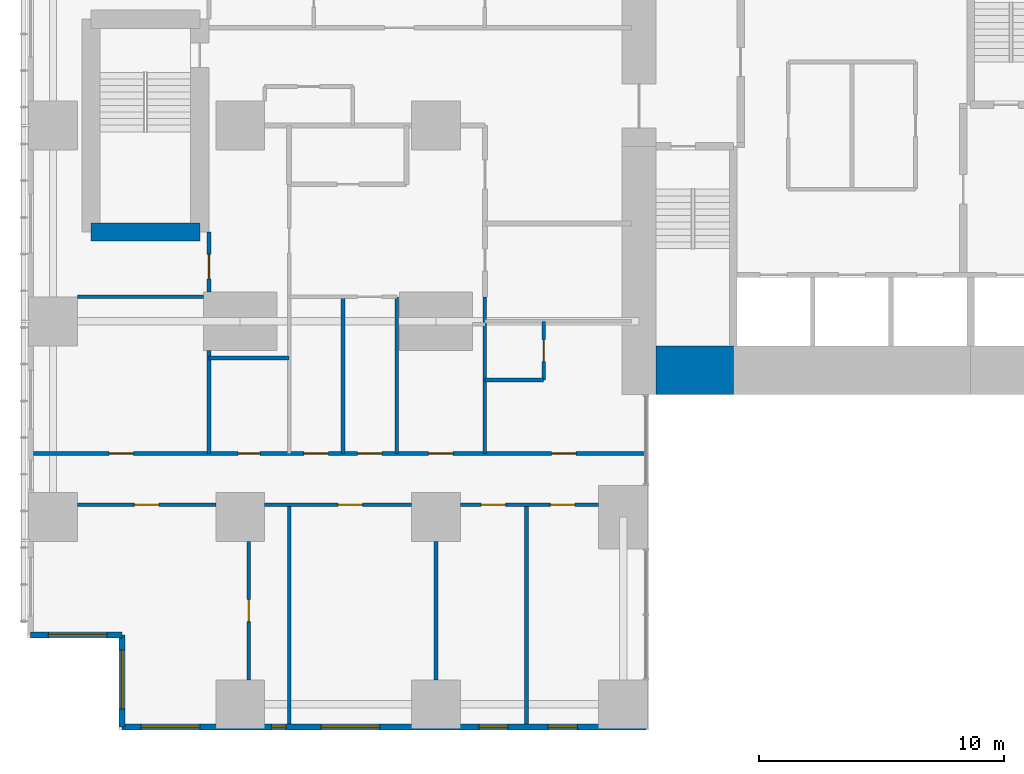
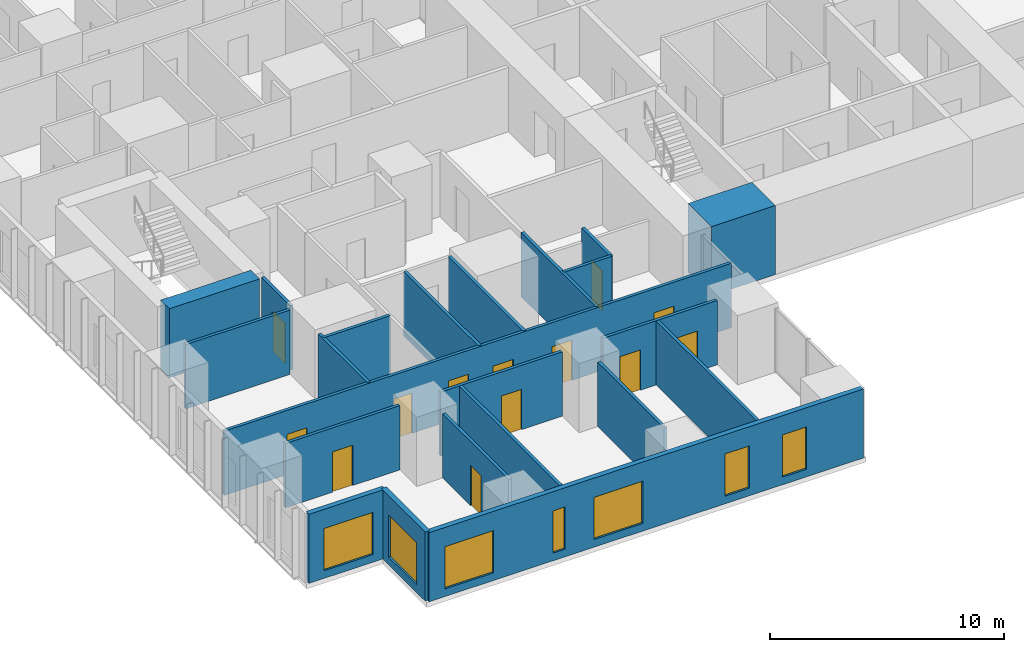
# One storey, part 12 of 21: 22 walls, 13 doors, 7 windows, 20 openings.
"""IFC4 building model written with IfcOpenShell, lengths in metres."""

from ifc_helpers import new_model, si_unit, direction, frame, frame_2d, origin, place, context, subcontext, project, spatial, rectangle, extrude, material, layer, layer_set, type_object, element, fill, save


model = new_model("IFC4")

# Units and contexts
model_context = context("Model", 3, precision=1e-05, world=origin(), true_north=direction((0.0, 1.0)))
body_context = subcontext(model_context, "Body", "Model", "MODEL_VIEW")
ifc_project = project(units=[si_unit("LENGTHUNIT", "METRE"), si_unit("AREAUNIT", "SQUARE_METRE"), si_unit("VOLUMEUNIT", "CUBIC_METRE"), si_unit("PLANEANGLEUNIT", "RADIAN"), si_unit("MASSUNIT", "GRAM", prefix="KILO")], contexts=[model_context])

# Site, building, storey
site_placement = place(None, origin())
site = spatial("IfcSite", under=ifc_project, at=site_placement, CompositionType="ELEMENT")
building_placement = place(site_placement, origin())
building = spatial("IfcBuilding", under=site, at=building_placement, Name="Cleftline Residences", CompositionType="ELEMENT")
storey_placement = place(building_placement, frame((0.0, 0.0, 125.0)))
storey = spatial("IfcBuildingStorey", under=building, at=storey_placement, Name="L32", CompositionType="ELEMENT", Elevation=125.0)

# Wall
ifc_material_1 = material(Name="Concrete B70", Category="concrete")
ifc_layer_1 = layer(ifc_material_1, 2.0)
ifc_layer_set_1 = layer_set([ifc_layer_1], Name="CORE WALL 2000")
wall_type_1 = type_object("IfcWallType", Name="CORE WALL 2000", PredefinedType="SHEAR", material=ifc_layer_set_1)
wall_1_placement = place(storey_placement, frame((25.0, 14.0, 0.0), z_axis=(0.0, 0.0, 1.0), x_axis=(1.0, 0.0, 0.0)))
element("IfcWall", 1, at=wall_1_placement, inside=storey, type_object=wall_type_1, Name="Core wall S1", PredefinedType="SHEAR", context=body_context, shape_type="SweptSolid", body=[
    extrude(rectangle(XDim=3.14990234375, YDim=2.0, at=frame_2d((1.574951171875, 0.0))), origin(), (0.0, 0.0, 1.0), 3.60009765625),
])

# Wall, opening, window
ifc_material_2 = material(Name="Rendered reinforced concrete blockwork", Category="masonry")
ifc_layer_2 = layer(ifc_material_2, 0.25)
ifc_layer_set_2 = layer_set([ifc_layer_2], Name="EXTERNAL WALL 250")
wall_type_2 = type_object("IfcWallType", Name="EXTERNAL WALL 250", PredefinedType="SOLIDWALL", material=ifc_layer_set_2)
wall_2_placement = place(storey_placement, frame((-0.574951171875, 3.175048828125, 0.0), z_axis=(0.0, 0.0, 1.0), x_axis=(1.0, 0.0, 0.0)))
wall_2 = element("IfcWall", 2, at=wall_2_placement, inside=storey, type_object=wall_type_2, Name="External wall", PredefinedType="SOLIDWALL", context=body_context, shape_type="SweptSolid", body=[
    extrude(rectangle(XDim=3.75, YDim=0.25, at=frame_2d((1.875, 0.0))), origin(), (0.0, 0.0, 1.0), 3.60009765625),
])
opening_1_placement = place(wall_2_placement, frame((0.737548828125, 0.0, 0.39990234375)))
opening_1 = element("IfcOpeningElement", 3, at=opening_1_placement, cuts=wall_2, Name="Opening W12", PredefinedType="OPENING", context=body_context, shape_type="SweptSolid", body=[
    extrude(rectangle(XDim=2.39990234375, YDim=2.199951171875, at=frame_2d((1.199951171875, 1.10009765625))), frame((0.0, 0.135009765625, 0.0), z_axis=(0.0, -1.0, 0.0), x_axis=(1.0, 0.0, 0.0)), (0.0, 0.0, 1.0), 0.27001953125),
])
ifc_material_3 = material(Name="Aluminium frame, clear double glazing", Category="aluminium")
window_type_1 = type_object("IfcWindowType", Name="WINDOW 2400X2200", PartitioningType="DOUBLE_PANEL_VERTICAL", PredefinedType="WINDOW", material=ifc_material_3)
window_1_placement = place(opening_1_placement, origin())
window_1 = element("IfcWindow", 4, at=window_1_placement, inside=storey, type_object=window_type_1, Name="Window", OverallHeight=2.199951171875, OverallWidth=2.39990234375, PartitioningType="SINGLE_PANEL", PredefinedType="WINDOW", context=body_context, shape_type="SweptSolid", body=[
    extrude(rectangle(XDim=2.39990234375, YDim=2.199951171875, at=frame_2d((1.199951171875, 1.10009765625))), frame((0.0, 0.030029296875, 0.0), z_axis=(0.0, -1.0, 0.0), x_axis=(1.0, 0.0, 0.0)), (0.0, 0.0, 1.0), 0.06005859375),
])
fill(opening_1, window_1)

wall_3_placement = place(storey_placement, frame((3.175048828125, 3.175048828125, 0.0), z_axis=(0.0, 0.0, 1.0), x_axis=(0.0, -1.0, 0.0)))
wall_3 = element("IfcWall", 5, at=wall_3_placement, inside=storey, type_object=wall_type_2, Name="External wall", PredefinedType="SOLIDWALL", context=body_context, shape_type="SweptSolid", body=[
    extrude(rectangle(XDim=3.75, YDim=0.25, at=frame_2d((1.875, 0.0))), origin(), (0.0, 0.0, 1.0), 3.60009765625),
])
opening_2_placement = place(wall_3_placement, frame((0.612548828125, 0.0, 0.39990234375)))
opening_2 = element("IfcOpeningElement", 6, at=opening_2_placement, cuts=wall_3, Name="Opening W12", PredefinedType="OPENING", context=body_context, shape_type="SweptSolid", body=[
    extrude(rectangle(XDim=2.39990234375, YDim=2.199951171875, at=frame_2d((1.199951171875, 1.10009765625))), frame((0.0, 0.135009765625, 0.0), z_axis=(0.0, -1.0, 0.0), x_axis=(1.0, 0.0, 0.0)), (0.0, 0.0, 1.0), 0.27001953125),
])
window_2_placement = place(opening_2_placement, origin())
window_2 = element("IfcWindow", 7, at=window_2_placement, inside=storey, type_object=window_type_1, Name="Window", OverallHeight=2.199951171875, OverallWidth=2.39990234375, PartitioningType="SINGLE_PANEL", PredefinedType="WINDOW", context=body_context, shape_type="SweptSolid", body=[
    extrude(rectangle(XDim=2.39990234375, YDim=2.199951171875, at=frame_2d((1.199951171875, 1.10009765625))), frame((0.0, 0.030029296875, 0.0), z_axis=(0.0, -1.0, 0.0), x_axis=(1.0, 0.0, 0.0)), (0.0, 0.0, 1.0), 0.06005859375),
])
fill(opening_2, window_2)

# Wall, openings, windows
wall_4_placement = place(storey_placement, frame((3.175048828125, -0.574951171875, 0.0), z_axis=(0.0, 0.0, 1.0), x_axis=(1.0, 0.0, 0.0)))
wall_4 = element("IfcWall", 8, at=wall_4_placement, inside=storey, type_object=wall_type_2, Name="External wall", PredefinedType="SOLIDWALL", context=body_context, shape_type="SweptSolid", body=[
    extrude(rectangle(XDim=21.39990234375, YDim=0.25, at=frame_2d((10.699951171875, 0.0))), origin(), (0.0, 0.0, 1.0), 3.60009765625),
])
opening_3_placement = place(wall_4_placement, frame((0.77490234375, 0.0, 0.39990234375)))
opening_3 = element("IfcOpeningElement", 9, at=opening_3_placement, cuts=wall_4, Name="Opening W12", PredefinedType="OPENING", context=body_context, shape_type="SweptSolid", body=[
    extrude(rectangle(XDim=2.39990234375, YDim=2.199951171875, at=frame_2d((1.199951171875, 1.10009765625))), frame((0.0, 0.135009765625, 0.0), z_axis=(0.0, -1.0, 0.0), x_axis=(1.0, 0.0, 0.0)), (0.0, 0.0, 1.0), 0.27001953125),
])
opening_4_placement = place(wall_4_placement, frame((6.10009765625, 0.0, 0.39990234375)))
opening_4 = element("IfcOpeningElement", 10, at=opening_4_placement, cuts=wall_4, Name="Opening W10", PredefinedType="OPENING", context=body_context, shape_type="SweptSolid", body=[
    extrude(rectangle(XDim=0.60009765625, YDim=2.199951171875, at=frame_2d((0.300048828125, 1.10009765625))), frame((0.0, 0.135009765625, 0.0), z_axis=(0.0, -1.0, 0.0), x_axis=(1.0, 0.0, 0.0)), (0.0, 0.0, 1.0), 0.27001953125),
])
opening_5_placement = place(wall_4_placement, frame((8.125, 0.0, 0.39990234375)))
opening_5 = element("IfcOpeningElement", 11, at=opening_5_placement, cuts=wall_4, Name="Opening W12", PredefinedType="OPENING", context=body_context, shape_type="SweptSolid", body=[
    extrude(rectangle(XDim=2.39990234375, YDim=2.199951171875, at=frame_2d((1.199951171875, 1.10009765625))), frame((0.0, 0.135009765625, 0.0), z_axis=(0.0, -1.0, 0.0), x_axis=(1.0, 0.0, 0.0)), (0.0, 0.0, 1.0), 0.27001953125),
])
opening_6_placement = place(wall_4_placement, frame((14.574951171875, 0.0, 0.39990234375)))
opening_6 = element("IfcOpeningElement", 12, at=opening_6_placement, cuts=wall_4, Name="Opening W11", PredefinedType="OPENING", context=body_context, shape_type="SweptSolid", body=[
    extrude(rectangle(XDim=1.199951171875, YDim=2.199951171875, at=frame_2d((0.60009765625, 1.10009765625))), frame((0.0, 0.135009765625, 0.0), z_axis=(0.0, -1.0, 0.0), x_axis=(1.0, 0.0, 0.0)), (0.0, 0.0, 1.0), 0.27001953125),
])
opening_7_placement = place(wall_4_placement, frame((17.39990234375, 0.0, 0.39990234375)))
opening_7 = element("IfcOpeningElement", 13, at=opening_7_placement, cuts=wall_4, Name="Opening W11", PredefinedType="OPENING", context=body_context, shape_type="SweptSolid", body=[
    extrude(rectangle(XDim=1.199951171875, YDim=2.199951171875, at=frame_2d((0.60009765625, 1.10009765625))), frame((0.0, 0.135009765625, 0.0), z_axis=(0.0, -1.0, 0.0), x_axis=(1.0, 0.0, 0.0)), (0.0, 0.0, 1.0), 0.27001953125),
])
ifc_material_4 = material(Name="Aluminium frame, clear double glazing", Category="aluminium")
window_type_2 = type_object("IfcWindowType", Name="WINDOW 1200X2200", PartitioningType="DOUBLE_PANEL_VERTICAL", PredefinedType="WINDOW", material=ifc_material_4)
window_3_placement = place(opening_6_placement, origin())
window_3 = element("IfcWindow", 14, at=window_3_placement, inside=storey, type_object=window_type_2, Name="Window", OverallHeight=2.199951171875, OverallWidth=1.199951171875, PartitioningType="SINGLE_PANEL", PredefinedType="WINDOW", context=body_context, shape_type="SweptSolid", body=[
    extrude(rectangle(XDim=1.199951171875, YDim=2.199951171875, at=frame_2d((0.60009765625, 1.10009765625))), frame((0.0, 0.030029296875, 0.0), z_axis=(0.0, -1.0, 0.0), x_axis=(1.0, 0.0, 0.0)), (0.0, 0.0, 1.0), 0.06005859375),
])
fill(opening_6, window_3)
window_4_placement = place(opening_7_placement, origin())
window_4 = element("IfcWindow", 15, at=window_4_placement, inside=storey, type_object=window_type_2, Name="Window", OverallHeight=2.199951171875, OverallWidth=1.199951171875, PartitioningType="SINGLE_PANEL", PredefinedType="WINDOW", context=body_context, shape_type="SweptSolid", body=[
    extrude(rectangle(XDim=1.199951171875, YDim=2.199951171875, at=frame_2d((0.60009765625, 1.10009765625))), frame((0.0, 0.030029296875, 0.0), z_axis=(0.0, -1.0, 0.0), x_axis=(1.0, 0.0, 0.0)), (0.0, 0.0, 1.0), 0.06005859375),
])
fill(opening_7, window_4)
window_5_placement = place(opening_3_placement, origin())
window_5 = element("IfcWindow", 16, at=window_5_placement, inside=storey, type_object=window_type_1, Name="Window", OverallHeight=2.199951171875, OverallWidth=2.39990234375, PartitioningType="SINGLE_PANEL", PredefinedType="WINDOW", context=body_context, shape_type="SweptSolid", body=[
    extrude(rectangle(XDim=2.39990234375, YDim=2.199951171875, at=frame_2d((1.199951171875, 1.10009765625))), frame((0.0, 0.030029296875, 0.0), z_axis=(0.0, -1.0, 0.0), x_axis=(1.0, 0.0, 0.0)), (0.0, 0.0, 1.0), 0.06005859375),
])
fill(opening_3, window_5)
window_6_placement = place(opening_5_placement, origin())
window_6 = element("IfcWindow", 17, at=window_6_placement, inside=storey, type_object=window_type_1, Name="Window", OverallHeight=2.199951171875, OverallWidth=2.39990234375, PartitioningType="SINGLE_PANEL", PredefinedType="WINDOW", context=body_context, shape_type="SweptSolid", body=[
    extrude(rectangle(XDim=2.39990234375, YDim=2.199951171875, at=frame_2d((1.199951171875, 1.10009765625))), frame((0.0, 0.030029296875, 0.0), z_axis=(0.0, -1.0, 0.0), x_axis=(1.0, 0.0, 0.0)), (0.0, 0.0, 1.0), 0.06005859375),
])
fill(opening_5, window_6)
ifc_material_5 = material(Name="Aluminium frame, clear double glazing", Category="aluminium")
window_type_3 = type_object("IfcWindowType", Name="WINDOW 600X2200", PartitioningType="DOUBLE_PANEL_VERTICAL", PredefinedType="WINDOW", material=ifc_material_5)
window_7_placement = place(opening_4_placement, origin())
window_7 = element("IfcWindow", 18, at=window_7_placement, inside=storey, type_object=window_type_3, Name="Window", OverallHeight=2.199951171875, OverallWidth=0.60009765625, PartitioningType="SINGLE_PANEL", PredefinedType="WINDOW", context=body_context, shape_type="SweptSolid", body=[
    extrude(rectangle(XDim=0.60009765625, YDim=2.199951171875, at=frame_2d((0.300048828125, 1.10009765625))), frame((0.0, 0.030029296875, 0.0), z_axis=(0.0, -1.0, 0.0), x_axis=(1.0, 0.0, 0.0)), (0.0, 0.0, 1.0), 0.06005859375),
])
fill(opening_4, window_7)

# Wall, opening, door
ifc_material_6 = material(Name="Gypsum board on steel studs", Category="steel")
ifc_layer_3 = layer(ifc_material_6, 0.14990234375)
ifc_layer_set_3 = layer_set([ifc_layer_3], Name="PARTITION 150")
wall_type_3 = type_object("IfcWallType", Name="PARTITION 150", PredefinedType="PARTITIONING", material=ifc_layer_set_3)
wall_5_placement = place(storey_placement, frame((1.35009765625, 8.5, 0.0), z_axis=(0.0, 0.0, 1.0), x_axis=(1.0, 0.0, 0.0)))
wall_5 = element("IfcWall", 19, at=wall_5_placement, inside=storey, type_object=wall_type_3, Name="Partition", PredefinedType="PARTITIONING", context=body_context, shape_type="SweptSolid", body=[
    extrude(rectangle(XDim=5.64990234375, YDim=0.14990234375, at=frame_2d((2.824951171875, 0.0))), origin(), (0.0, 0.0, 1.0), 3.35009765625),
])
opening_8_placement = place(wall_5_placement, frame((2.324951171875, 0.0, 0.0)))
opening_8 = element("IfcOpeningElement", 20, at=opening_8_placement, cuts=wall_5, Name="Opening D2", PredefinedType="OPENING", context=body_context, shape_type="SweptSolid", body=[
    extrude(rectangle(XDim=1.0, YDim=2.10009765625, at=frame_2d((0.5, 1.050048828125))), frame((0.0, 0.0849609375, 0.0), z_axis=(0.0, -1.0, 0.0), x_axis=(1.0, 0.0, 0.0)), (0.0, 0.0, 1.0), 0.169921875),
])
ifc_material_7 = material(Name="Timber veneer on solid core", Category="wood")
door_type_1 = type_object("IfcDoorType", Name="DOOR 1000X2100", OperationType="SINGLE_SWING_LEFT", PredefinedType="DOOR", material=ifc_material_7)
door_1_placement = place(opening_8_placement, origin())
door_1 = element("IfcDoor", 21, at=door_1_placement, inside=storey, type_object=door_type_1, Name="Door to formal living room", OperationType="SINGLE_SWING_LEFT", OverallHeight=2.10009765625, OverallWidth=1.0, PredefinedType="DOOR", context=body_context, shape_type="SweptSolid", body=[
    extrude(rectangle(XDim=1.0, YDim=2.10009765625, at=frame_2d((0.5, 1.050048828125))), frame((0.0, 0.02490234375, 0.0), z_axis=(0.0, -1.0, 0.0), x_axis=(1.0, 0.0, 0.0)), (0.0, 0.0, 1.0), 0.050048828125),
])
fill(opening_8, door_1)

wall_6_placement = place(storey_placement, frame((9.0, 8.5, 0.0), z_axis=(0.0, 0.0, 1.0), x_axis=(1.0, 0.0, 0.0)))
wall_6 = element("IfcWall", 22, at=wall_6_placement, inside=storey, type_object=wall_type_3, Name="Partition", PredefinedType="PARTITIONING", context=body_context, shape_type="SweptSolid", body=[
    extrude(rectangle(XDim=6.0, YDim=0.14990234375, at=frame_2d((3.0, 0.0))), origin(), (0.0, 0.0, 1.0), 3.35009765625),
])
opening_9_placement = place(wall_6_placement, frame((3.0, 0.0, 0.0)))
opening_9 = element("IfcOpeningElement", 23, at=opening_9_placement, cuts=wall_6, Name="Opening D2", PredefinedType="OPENING", context=body_context, shape_type="SweptSolid", body=[
    extrude(rectangle(XDim=1.0, YDim=2.10009765625, at=frame_2d((0.5, 1.050048828125))), frame((0.0, 0.0849609375, 0.0), z_axis=(0.0, -1.0, 0.0), x_axis=(1.0, 0.0, 0.0)), (0.0, 0.0, 1.0), 0.169921875),
])
door_2_placement = place(opening_9_placement, origin())
door_2 = element("IfcDoor", 24, at=door_2_placement, inside=storey, type_object=door_type_1, Name="Door to formal dining room", OperationType="SINGLE_SWING_LEFT", OverallHeight=2.10009765625, OverallWidth=1.0, PredefinedType="DOOR", context=body_context, shape_type="SweptSolid", body=[
    extrude(rectangle(XDim=1.0, YDim=2.10009765625, at=frame_2d((0.5, 1.050048828125))), frame((0.0, 0.02490234375, 0.0), z_axis=(0.0, -1.0, 0.0), x_axis=(1.0, 0.0, 0.0)), (0.0, 0.0, 1.0), 0.050048828125),
])
fill(opening_9, door_2)

# Wall, openings, doors
wall_7_placement = place(storey_placement, frame((17.0, 8.5, 0.0), z_axis=(0.0, 0.0, 1.0), x_axis=(1.0, 0.0, 0.0)))
wall_7 = element("IfcWall", 25, at=wall_7_placement, inside=storey, type_object=wall_type_3, Name="Partition", PredefinedType="PARTITIONING", context=body_context, shape_type="SweptSolid", body=[
    extrude(rectangle(XDim=5.64990234375, YDim=0.14990234375, at=frame_2d((2.824951171875, 0.0))), origin(), (0.0, 0.0, 1.0), 3.35009765625),
])
opening_10_placement = place(wall_7_placement, frame((0.85009765625, 0.0, 0.0)))
opening_10 = element("IfcOpeningElement", 26, at=opening_10_placement, cuts=wall_7, Name="Opening D2", PredefinedType="OPENING", context=body_context, shape_type="SweptSolid", body=[
    extrude(rectangle(XDim=1.0, YDim=2.10009765625, at=frame_2d((0.5, 1.050048828125))), frame((0.0, 0.0849609375, 0.0), z_axis=(0.0, -1.0, 0.0), x_axis=(1.0, 0.0, 0.0)), (0.0, 0.0, 1.0), 0.169921875),
])
opening_11_placement = place(wall_7_placement, frame((3.675048828125, 0.0, 0.0)))
opening_11 = element("IfcOpeningElement", 27, at=opening_11_placement, cuts=wall_7, Name="Opening D2", PredefinedType="OPENING", context=body_context, shape_type="SweptSolid", body=[
    extrude(rectangle(XDim=1.0, YDim=2.10009765625, at=frame_2d((0.5, 1.050048828125))), frame((0.0, 0.0849609375, 0.0), z_axis=(0.0, -1.0, 0.0), x_axis=(1.0, 0.0, 0.0)), (0.0, 0.0, 1.0), 0.169921875),
])
door_3_placement = place(opening_10_placement, origin())
door_3 = element("IfcDoor", 28, at=door_3_placement, inside=storey, type_object=door_type_1, Name="Door to breakfast room", OperationType="SINGLE_SWING_RIGHT", OverallHeight=2.10009765625, OverallWidth=1.0, PredefinedType="DOOR", context=body_context, shape_type="SweptSolid", body=[
    extrude(rectangle(XDim=1.0, YDim=2.10009765625, at=frame_2d((0.5, 1.050048828125))), frame((0.0, 0.02490234375, 0.0), z_axis=(0.0, -1.0, 0.0), x_axis=(1.0, 0.0, 0.0)), (0.0, 0.0, 1.0), 0.050048828125),
])
fill(opening_10, door_3)
door_4_placement = place(opening_11_placement, origin())
door_4 = element("IfcDoor", 29, at=door_4_placement, inside=storey, type_object=door_type_1, Name="Door to show kitchen", OperationType="SINGLE_SWING_LEFT", OverallHeight=2.10009765625, OverallWidth=1.0, PredefinedType="DOOR", context=body_context, shape_type="SweptSolid", body=[
    extrude(rectangle(XDim=1.0, YDim=2.10009765625, at=frame_2d((0.5, 1.050048828125))), frame((0.0, 0.02490234375, 0.0), z_axis=(0.0, -1.0, 0.0), x_axis=(1.0, 0.0, 0.0)), (0.0, 0.0, 1.0), 0.050048828125),
])
fill(opening_11, door_4)

wall_8_placement = place(storey_placement, frame((-0.449951171875, 10.60009765625, 0.0), z_axis=(0.0, 0.0, 1.0), x_axis=(1.0, 0.0, 0.0)))
wall_8 = element("IfcWall", 30, at=wall_8_placement, inside=storey, type_object=wall_type_3, Name="Partition", PredefinedType="PARTITIONING", context=body_context, shape_type="SweptSolid", body=[
    extrude(rectangle(XDim=25.010986328125, YDim=0.14990234375, at=frame_2d((12.50537109375, 0.0))), origin(), (0.0, 0.0, 1.0), 3.35009765625),
])
opening_12_placement = place(wall_8_placement, frame((13.25, 0.0, 0.0)))
opening_12 = element("IfcOpeningElement", 31, at=opening_12_placement, cuts=wall_8, Name="Opening D2F30", PredefinedType="OPENING", context=body_context, shape_type="SweptSolid", body=[
    extrude(rectangle(XDim=1.0, YDim=2.10009765625, at=frame_2d((0.5, 1.050048828125))), frame((0.0, 0.0849609375, 0.0), z_axis=(0.0, -1.0, 0.0), x_axis=(1.0, 0.0, 0.0)), (0.0, 0.0, 1.0), 0.169921875),
])
opening_13_placement = place(wall_8_placement, frame((3.08740234375, 0.0, 0.0)))
opening_13 = element("IfcOpeningElement", 32, at=opening_13_placement, cuts=wall_8, Name="Opening D2F30", PredefinedType="OPENING", context=body_context, shape_type="SweptSolid", body=[
    extrude(rectangle(XDim=1.0, YDim=2.10009765625, at=frame_2d((0.5, 1.050048828125))), frame((0.0, 0.0849609375, 0.0), z_axis=(0.0, -1.0, 0.0), x_axis=(1.0, 0.0, 0.0)), (0.0, 0.0, 1.0), 0.169921875),
])
opening_14_placement = place(wall_8_placement, frame((8.362548828125, 0.0, 0.0)))
opening_14 = element("IfcOpeningElement", 33, at=opening_14_placement, cuts=wall_8, Name="Opening D1F30", PredefinedType="OPENING", context=body_context, shape_type="SweptSolid", body=[
    extrude(rectangle(XDim=0.89990234375, YDim=2.10009765625, at=frame_2d((0.449951171875, 1.050048828125))), frame((0.0, 0.0849609375, 0.0), z_axis=(0.0, -1.0, 0.0), x_axis=(1.0, 0.0, 0.0)), (0.0, 0.0, 1.0), 0.169921875),
])
opening_15_placement = place(wall_8_placement, frame((11.050048828125, 0.0, 0.0)))
opening_15 = element("IfcOpeningElement", 34, at=opening_15_placement, cuts=wall_8, Name="Opening D2F30", PredefinedType="OPENING", context=body_context, shape_type="SweptSolid", body=[
    extrude(rectangle(XDim=1.0, YDim=2.10009765625, at=frame_2d((0.5, 1.050048828125))), frame((0.0, 0.0849609375, 0.0), z_axis=(0.0, -1.0, 0.0), x_axis=(1.0, 0.0, 0.0)), (0.0, 0.0, 1.0), 0.169921875),
])
opening_16_placement = place(wall_8_placement, frame((16.14990234375, 0.0, 0.0)))
opening_16 = element("IfcOpeningElement", 35, at=opening_16_placement, cuts=wall_8, Name="Opening D2F30", PredefinedType="OPENING", context=body_context, shape_type="SweptSolid", body=[
    extrude(rectangle(XDim=1.0, YDim=2.10009765625, at=frame_2d((0.5, 1.050048828125))), frame((0.0, 0.0849609375, 0.0), z_axis=(0.0, -1.0, 0.0), x_axis=(1.0, 0.0, 0.0)), (0.0, 0.0, 1.0), 0.169921875),
])
opening_17_placement = place(wall_8_placement, frame((21.175048828125, 0.0, 0.0)))
opening_17 = element("IfcOpeningElement", 36, at=opening_17_placement, cuts=wall_8, Name="Opening D2F30", PredefinedType="OPENING", context=body_context, shape_type="SweptSolid", body=[
    extrude(rectangle(XDim=1.0, YDim=2.10009765625, at=frame_2d((0.5, 1.050048828125))), frame((0.0, 0.0849609375, 0.0), z_axis=(0.0, -1.0, 0.0), x_axis=(1.0, 0.0, 0.0)), (0.0, 0.0, 1.0), 0.169921875),
])
ifc_material_8 = material(Name="Timber veneer on solid core", Category="wood")
door_type_2 = type_object("IfcDoorType", Name="DOOR 1000X2100 EI 30", OperationType="SINGLE_SWING_LEFT", PredefinedType="DOOR", material=ifc_material_8)
door_5_placement = place(opening_12_placement, origin())
door_5 = element("IfcDoor", 37, at=door_5_placement, inside=storey, type_object=door_type_2, Name="Door to residence hall (gallery)", OperationType="SINGLE_SWING_LEFT", OverallHeight=2.10009765625, OverallWidth=1.0, PredefinedType="DOOR", context=body_context, shape_type="SweptSolid", body=[
    extrude(rectangle(XDim=1.0, YDim=2.10009765625, at=frame_2d((0.5, 1.050048828125))), frame((0.0, 0.02490234375, 0.0), z_axis=(0.0, -1.0, 0.0), x_axis=(1.0, 0.0, 0.0)), (0.0, 0.0, 1.0), 0.050048828125),
])
fill(opening_12, door_5)
door_6_placement = place(opening_13_placement, origin())
door_6 = element("IfcDoor", 38, at=door_6_placement, inside=storey, type_object=door_type_2, Name="Door to winter garden", OperationType="SINGLE_SWING_RIGHT", OverallHeight=2.10009765625, OverallWidth=1.0, PredefinedType="DOOR", context=body_context, shape_type="SweptSolid", body=[
    extrude(rectangle(XDim=1.0, YDim=2.10009765625, at=frame_2d((0.5, 1.050048828125))), frame((0.0, 0.02490234375, 0.0), z_axis=(0.0, -1.0, 0.0), x_axis=(1.0, 0.0, 0.0)), (0.0, 0.0, 1.0), 0.050048828125),
])
fill(opening_13, door_6)
door_7_placement = place(opening_15_placement, origin())
door_7 = element("IfcDoor", 39, at=door_7_placement, inside=storey, type_object=door_type_2, Name="Door to family room", OperationType="SINGLE_SWING_RIGHT", OverallHeight=2.10009765625, OverallWidth=1.0, PredefinedType="DOOR", context=body_context, shape_type="SweptSolid", body=[
    extrude(rectangle(XDim=1.0, YDim=2.10009765625, at=frame_2d((0.5, 1.050048828125))), frame((0.0, 0.02490234375, 0.0), z_axis=(0.0, -1.0, 0.0), x_axis=(1.0, 0.0, 0.0)), (0.0, 0.0, 1.0), 0.050048828125),
])
fill(opening_15, door_7)
door_8_placement = place(opening_16_placement, origin())
door_8 = element("IfcDoor", 40, at=door_8_placement, inside=storey, type_object=door_type_2, Name="Door to wet kitchen", OperationType="SINGLE_SWING_LEFT", OverallHeight=2.10009765625, OverallWidth=1.0, PredefinedType="DOOR", context=body_context, shape_type="SweptSolid", body=[
    extrude(rectangle(XDim=1.0, YDim=2.10009765625, at=frame_2d((0.5, 1.050048828125))), frame((0.0, 0.02490234375, 0.0), z_axis=(0.0, -1.0, 0.0), x_axis=(1.0, 0.0, 0.0)), (0.0, 0.0, 1.0), 0.050048828125),
])
fill(opening_16, door_8)
door_9_placement = place(opening_17_placement, origin())
door_9 = element("IfcDoor", 41, at=door_9_placement, inside=storey, type_object=door_type_2, Name="Door to staff bedroom", OperationType="SINGLE_SWING_LEFT", OverallHeight=2.10009765625, OverallWidth=1.0, PredefinedType="DOOR", context=body_context, shape_type="SweptSolid", body=[
    extrude(rectangle(XDim=1.0, YDim=2.10009765625, at=frame_2d((0.5, 1.050048828125))), frame((0.0, 0.02490234375, 0.0), z_axis=(0.0, -1.0, 0.0), x_axis=(1.0, 0.0, 0.0)), (0.0, 0.0, 1.0), 0.050048828125),
])
fill(opening_17, door_9)
ifc_material_9 = material(Name="Timber veneer on solid core", Category="wood")
door_type_3 = type_object("IfcDoorType", Name="DOOR 900X2100 EI 30", OperationType="SINGLE_SWING_LEFT", PredefinedType="DOOR", material=ifc_material_9)
door_10_placement = place(opening_14_placement, origin())
door_10 = element("IfcDoor", 42, at=door_10_placement, inside=storey, type_object=door_type_3, Name="Door to store room", OperationType="SINGLE_SWING_RIGHT", OverallHeight=2.10009765625, OverallWidth=0.89990234375, PredefinedType="DOOR", context=body_context, shape_type="SweptSolid", body=[
    extrude(rectangle(XDim=0.89990234375, YDim=2.10009765625, at=frame_2d((0.449951171875, 1.050048828125))), frame((0.0, 0.02490234375, 0.0), z_axis=(0.0, -1.0, 0.0), x_axis=(1.0, 0.0, 0.0)), (0.0, 0.0, 1.0), 0.050048828125),
])
fill(opening_14, door_10)

# Walls
wall_9_placement = place(storey_placement, frame((18.0, 13.60009765625, 0.0), z_axis=(0.0, 0.0, 1.0), x_axis=(1.0, 0.0, 0.0)))
element("IfcWall", 43, at=wall_9_placement, inside=storey, type_object=wall_type_3, Name="Partition", PredefinedType="PARTITIONING", context=body_context, shape_type="SweptSolid", body=[
    extrude(rectangle(XDim=2.39990234375, YDim=0.14990234375, at=frame_2d((1.199951171875, 0.0))), origin(), (0.0, 0.0, 1.0), 3.35009765625),
])
wall_10_placement = place(storey_placement, frame((6.72509765625, 14.5, 0.0), z_axis=(0.0, 0.0, 1.0), x_axis=(1.0, 0.0, 0.0)))
element("IfcWall", 44, at=wall_10_placement, inside=storey, type_object=wall_type_3, Name="Partition", PredefinedType="PARTITIONING", context=body_context, shape_type="SweptSolid", body=[
    extrude(rectangle(XDim=3.27490234375, YDim=0.14990234375, at=frame_2d((1.637451171875, 0.0))), origin(), (0.0, 0.0, 1.0), 3.35009765625),
])
wall_11_placement = place(storey_placement, frame((1.35009765625, 17.0, 0.0), z_axis=(0.0, 0.0, 1.0), x_axis=(1.0, 0.0, 0.0)))
element("IfcWall", 45, at=wall_11_placement, inside=storey, type_object=wall_type_3, Name="Partition", PredefinedType="PARTITIONING", context=body_context, shape_type="SweptSolid", body=[
    extrude(rectangle(XDim=5.14990234375, YDim=0.14990234375, at=frame_2d((2.574951171875, 0.0))), origin(), (0.0, 0.0, 1.0), 3.35009765625),
])
wall_12_placement = place(storey_placement, frame((6.72509765625, 10.60009765625, 0.0), z_axis=(0.0, 0.0, 1.0), x_axis=(0.0, 1.0, 0.0)))
element("IfcWall", 46, at=wall_12_placement, inside=storey, type_object=wall_type_3, Name="Partition", PredefinedType="PARTITIONING", context=body_context, shape_type="SweptSolid", body=[
    extrude(rectangle(XDim=4.199951171875, YDim=0.14990234375, at=frame_2d((2.10009765625, 0.0))), origin(), (0.0, 0.0, 1.0), 3.35009765625),
])

# Wall, opening, door
wall_13_placement = place(storey_placement, frame((6.72509765625, 17.199951171875, 0.0), z_axis=(0.0, 0.0, 1.0), x_axis=(0.0, 1.0, 0.0)))
wall_13 = element("IfcWall", 47, at=wall_13_placement, inside=storey, type_object=wall_type_3, Name="Partition", PredefinedType="PARTITIONING", context=body_context, shape_type="SweptSolid", body=[
    extrude(rectangle(XDim=2.449951171875, YDim=0.14990234375, at=frame_2d((1.22509765625, 0.0))), origin(), (0.0, 0.0, 1.0), 3.35009765625),
])
opening_18_placement = place(wall_13_placement, frame((0.53759765625, 0.0, 0.0)))
opening_18 = element("IfcOpeningElement", 48, at=opening_18_placement, cuts=wall_13, Name="Opening D2", PredefinedType="OPENING", context=body_context, shape_type="SweptSolid", body=[
    extrude(rectangle(XDim=1.0, YDim=2.10009765625, at=frame_2d((0.5, 1.050048828125))), frame((0.0, 0.0849609375, 0.0), z_axis=(0.0, -1.0, 0.0), x_axis=(1.0, 0.0, 0.0)), (0.0, 0.0, 1.0), 0.169921875),
])
door_11_placement = place(opening_18_placement, origin())
door_11 = element("IfcDoor", 49, at=door_11_placement, inside=storey, type_object=door_type_1, Name="Door to altar room", OperationType="SINGLE_SWING_RIGHT", OverallHeight=2.10009765625, OverallWidth=1.0, PredefinedType="DOOR", context=body_context, shape_type="SweptSolid", body=[
    extrude(rectangle(XDim=1.0, YDim=2.10009765625, at=frame_2d((0.5, 1.050048828125))), frame((0.0, 0.02490234375, 0.0), z_axis=(0.0, -1.0, 0.0), x_axis=(1.0, 0.0, 0.0)), (0.0, 0.0, 1.0), 0.050048828125),
])
fill(opening_18, door_11)

wall_14_placement = place(storey_placement, frame((8.35009765625, 1.35009765625, 0.0), z_axis=(0.0, 0.0, 1.0), x_axis=(0.0, 1.0, 0.0)))
wall_14 = element("IfcWall", 50, at=wall_14_placement, inside=storey, type_object=wall_type_3, Name="Partition", PredefinedType="PARTITIONING", context=body_context, shape_type="SweptSolid", body=[
    extrude(rectangle(XDim=5.64990234375, YDim=0.14990234375, at=frame_2d((2.824951171875, 0.0))), origin(), (0.0, 0.0, 1.0), 3.35009765625),
])
opening_19_placement = place(wall_14_placement, frame((2.375, 0.0, 0.0)))
opening_19 = element("IfcOpeningElement", 51, at=opening_19_placement, cuts=wall_14, Name="Opening D1", PredefinedType="OPENING", context=body_context, shape_type="SweptSolid", body=[
    extrude(rectangle(XDim=0.89990234375, YDim=2.10009765625, at=frame_2d((0.449951171875, 1.050048828125))), frame((0.0, 0.0849609375, 0.0), z_axis=(0.0, -1.0, 0.0), x_axis=(1.0, 0.0, 0.0)), (0.0, 0.0, 1.0), 0.169921875),
])
ifc_material_10 = material(Name="Timber veneer on solid core", Category="wood")
door_type_4 = type_object("IfcDoorType", Name="DOOR 900X2100", OperationType="SINGLE_SWING_LEFT", PredefinedType="DOOR", material=ifc_material_10)
door_12_placement = place(opening_19_placement, origin())
door_12 = element("IfcDoor", 52, at=door_12_placement, inside=storey, type_object=door_type_4, Name="Door to store room", OperationType="SINGLE_SWING_LEFT", OverallHeight=2.10009765625, OverallWidth=0.89990234375, PredefinedType="DOOR", context=body_context, shape_type="SweptSolid", body=[
    extrude(rectangle(XDim=0.89990234375, YDim=2.10009765625, at=frame_2d((0.449951171875, 1.050048828125))), frame((0.0, 0.02490234375, 0.0), z_axis=(0.0, -1.0, 0.0), x_axis=(1.0, 0.0, 0.0)), (0.0, 0.0, 1.0), 0.050048828125),
])
fill(opening_19, door_12)

# Walls
wall_15_placement = place(storey_placement, frame((10.0, -0.449951171875, 0.0), z_axis=(0.0, 0.0, 1.0), x_axis=(0.0, 1.0, 0.0)))
element("IfcWall", 53, at=wall_15_placement, inside=storey, type_object=wall_type_3, Name="Partition", PredefinedType="PARTITIONING", context=body_context, shape_type="SweptSolid", body=[
    extrude(rectangle(XDim=8.949951171875, YDim=0.14990234375, at=frame_2d((4.47509765625, 0.0))), origin(), (0.0, 0.0, 1.0), 3.35009765625),
])
for number, where, z_axis, x_axis, name in (
    (54, (12.199951171875, 10.60009765625, 0.0), (0.0, 0.0, 1.0), (0.0, 1.0, 0.0), "Partition"),
    (55, (14.39990234375, 10.60009765625, 0.0), (0.0, 0.0, 1.0), (0.0, 1.0, 0.0), "Partition"),
):
    element("IfcWall", number, at=place(storey_placement, frame(where, z_axis=z_axis, x_axis=x_axis)), inside=storey, type_object=wall_type_3, Name=name, PredefinedType="PARTITIONING", context=body_context, shape_type="SweptSolid", body=[
        extrude(rectangle(XDim=6.39990234375, YDim=0.14990234375, at=frame_2d((3.199951171875, 0.0))), origin(), (0.0, 0.0, 1.0), 3.35009765625),
    ])
wall_16_placement = place(storey_placement, frame((16.0, 1.35009765625, 0.0), z_axis=(0.0, 0.0, 1.0), x_axis=(0.0, 1.0, 0.0)))
element("IfcWall", 56, at=wall_16_placement, inside=storey, type_object=wall_type_3, Name="Partition", PredefinedType="PARTITIONING", context=body_context, shape_type="SweptSolid", body=[
    extrude(rectangle(XDim=5.64990234375, YDim=0.14990234375, at=frame_2d((2.824951171875, 0.0))), origin(), (0.0, 0.0, 1.0), 3.35009765625),
])
wall_17_placement = place(storey_placement, frame((18.0, 10.60009765625, 0.0), z_axis=(0.0, 0.0, 1.0), x_axis=(0.0, 1.0, 0.0)))
element("IfcWall", 57, at=wall_17_placement, inside=storey, type_object=wall_type_3, Name="Partition", PredefinedType="PARTITIONING", context=body_context, shape_type="SweptSolid", body=[
    extrude(rectangle(XDim=6.39990234375, YDim=0.14990234375, at=frame_2d((3.199951171875, 0.0))), origin(), (0.0, 0.0, 1.0), 3.35009765625),
])
wall_18_placement = place(storey_placement, frame((19.699951171875, -0.449951171875, 0.0), z_axis=(0.0, 0.0, 1.0), x_axis=(0.0, 1.0, 0.0)))
element("IfcWall", 58, at=wall_18_placement, inside=storey, type_object=wall_type_3, Name="Partition", PredefinedType="PARTITIONING", context=body_context, shape_type="SweptSolid", body=[
    extrude(rectangle(XDim=8.949951171875, YDim=0.14990234375, at=frame_2d((4.47509765625, 0.0))), origin(), (0.0, 0.0, 1.0), 3.35009765625),
])

# Wall, opening, door
wall_19_placement = place(storey_placement, frame((20.39990234375, 13.60009765625, 0.0), z_axis=(0.0, 0.0, 1.0), x_axis=(0.0, 1.0, 0.0)))
wall_19 = element("IfcWall", 59, at=wall_19_placement, inside=storey, type_object=wall_type_3, Name="Partition", PredefinedType="PARTITIONING", context=body_context, shape_type="SweptSolid", body=[
    extrude(rectangle(XDim=2.39990234375, YDim=0.14990234375, at=frame_2d((1.199951171875, 0.0))), origin(), (0.0, 0.0, 1.0), 3.35009765625),
])
opening_20_placement = place(wall_19_placement, frame((0.75, 0.0, 0.0)))
opening_20 = element("IfcOpeningElement", 60, at=opening_20_placement, cuts=wall_19, Name="Opening D1", PredefinedType="OPENING", context=body_context, shape_type="SweptSolid", body=[
    extrude(rectangle(XDim=0.89990234375, YDim=2.10009765625, at=frame_2d((0.449951171875, 1.050048828125))), frame((0.0, 0.0849609375, 0.0), z_axis=(0.0, -1.0, 0.0), x_axis=(1.0, 0.0, 0.0)), (0.0, 0.0, 1.0), 0.169921875),
])
door_13_placement = place(opening_20_placement, origin())
door_13 = element("IfcDoor", 61, at=door_13_placement, inside=storey, type_object=door_type_4, Name="Door to staff shower room", OperationType="SINGLE_SWING_LEFT", OverallHeight=2.10009765625, OverallWidth=0.89990234375, PredefinedType="DOOR", context=body_context, shape_type="SweptSolid", body=[
    extrude(rectangle(XDim=0.89990234375, YDim=2.10009765625, at=frame_2d((0.449951171875, 1.050048828125))), frame((0.0, 0.02490234375, 0.0), z_axis=(0.0, -1.0, 0.0), x_axis=(1.0, 0.0, 0.0)), (0.0, 0.0, 1.0), 0.050048828125),
])
fill(opening_20, door_13)

# Wall
ifc_material_11 = material(Name="Concrete B70", Category="concrete")
ifc_layer_4 = layer(ifc_material_11, 0.75)
ifc_layer_set_4 = layer_set([ifc_layer_4], Name="SHEAR WALL 750")
wall_type_4 = type_object("IfcWallType", Name="SHEAR WALL 750", PredefinedType="SHEAR", material=ifc_layer_set_4)
wall_20_placement = place(storey_placement, frame((1.89990234375, 19.64990234375, 0.0), z_axis=(0.0, 0.0, 1.0), x_axis=(1.0, 0.0, 0.0)))
element("IfcWall", 62, at=wall_20_placement, inside=storey, type_object=wall_type_4, Name="Wing shear wall", PredefinedType="SHEAR", context=body_context, shape_type="SweptSolid", body=[
    extrude(rectangle(XDim=4.4501953125, YDim=0.75, at=frame_2d((2.22509765625, 0.0))), origin(), (0.0, 0.0, 1.0), 3.60009765625),
])

save(model, "model.ifc")
